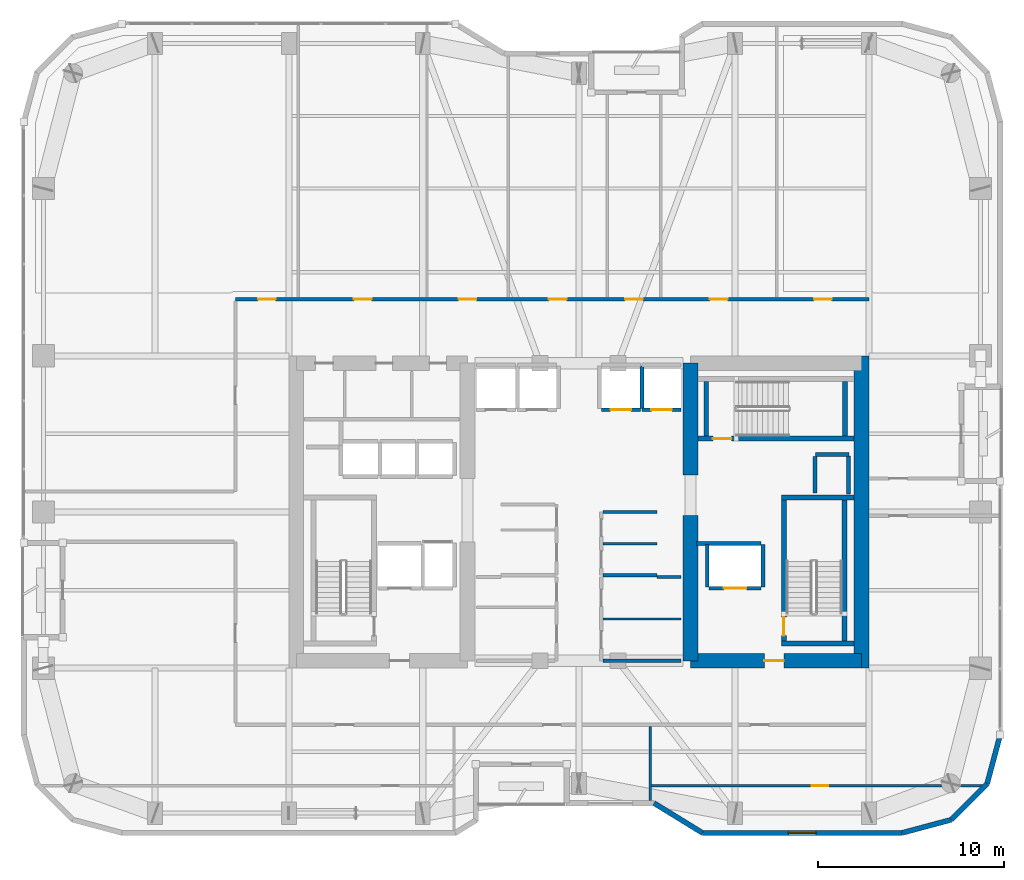
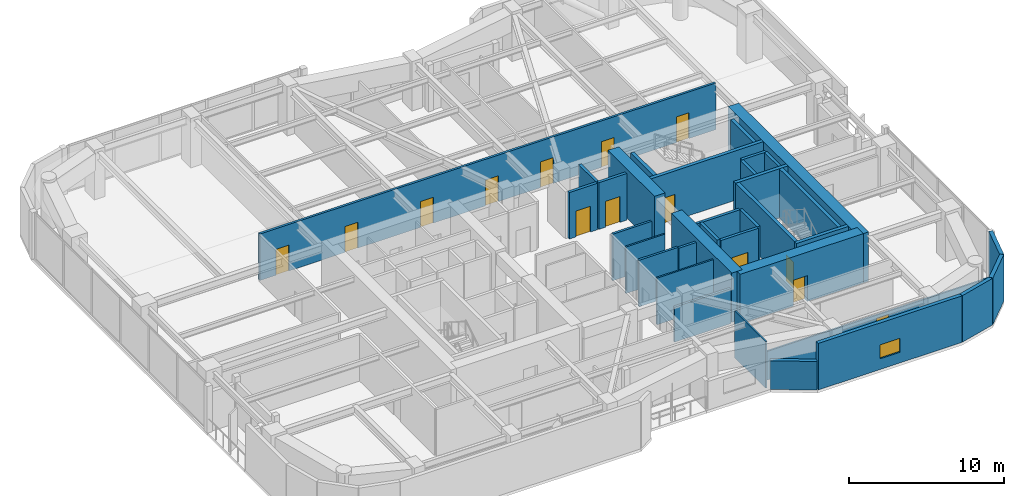
# One storey, part 26 of 30: 35 walls, 14 doors, 1 window, 15 openings.
"""IFC4 building model written with IfcOpenShell, lengths in metres."""

from ifc_helpers import new_model, si_unit, direction, frame, frame_2d, origin, place, context, subcontext, project, spatial, rectangle, extrude, material, layer, layer_set, type_object, element, fill, save


model = new_model("IFC4")

# Units and contexts
model_context = context("Model", 3, precision=1e-05, world=origin(), true_north=direction((0.0, 1.0)))
body_context = subcontext(model_context, "Body", "Model", "MODEL_VIEW")
ifc_project = project(units=[si_unit("LENGTHUNIT", "METRE"), si_unit("AREAUNIT", "SQUARE_METRE"), si_unit("VOLUMEUNIT", "CUBIC_METRE"), si_unit("PLANEANGLEUNIT", "RADIAN"), si_unit("MASSUNIT", "GRAM", prefix="KILO")], contexts=[model_context])

# Site, building, storey
site_placement = place(None, origin())
site = spatial("IfcSite", under=ifc_project, at=site_placement, CompositionType="ELEMENT")
building_placement = place(site_placement, origin())
building = spatial("IfcBuilding", under=site, at=building_placement, Name="Kiyonajd Concourse Tower", CompositionType="ELEMENT")
storey_placement = place(building_placement, frame((0.0, 0.0, 174.0)))
storey = spatial("IfcBuildingStorey", under=building, at=storey_placement, Name="L44", CompositionType="ELEMENT", Elevation=174.0)

# Walls
ifc_material_1 = material(Name="Concrete C70/85", Category="concrete")
ifc_layer_1 = layer(ifc_material_1, 0.800048828125)
ifc_layer_set_1 = layer_set([ifc_layer_1], Name="Concrete C70/85")
wall_type_1 = type_object("IfcWallType", Name="WL-CORE-800", PredefinedType="SHEAR", material=ifc_layer_set_1)
wall_1_placement = place(storey_placement, frame((54.0, 28.0, 0.0), z_axis=(0.0, 0.0, 1.0), x_axis=(0.0, 1.0, 0.0)))
element("IfcWall", 1, at=wall_1_placement, inside=storey, type_object=wall_type_1, Name="L44 East Core Inner South Shear Wall", PredefinedType="SHEAR", context=body_context, shape_type="SweptSolid", body=[
    extrude(rectangle(XDim=7.800048828125, YDim=0.800048828125, at=frame_2d((3.89990234375, 0.0))), origin(), (0.0, 0.0, 1.0), 3.89990234375),
])
wall_2_placement = place(storey_placement, frame((54.0, 38.0, 0.0), z_axis=(0.0, 0.0, 1.0), x_axis=(0.0, 1.0, 0.0)))
element("IfcWall", 2, at=wall_2_placement, inside=storey, type_object=wall_type_1, Name="L44 East Core Inner North Shear Wall", PredefinedType="SHEAR", context=body_context, shape_type="SweptSolid", body=[
    extrude(rectangle(XDim=6.0, YDim=0.800048828125, at=frame_2d((3.0, 0.0))), origin(), (0.0, 0.0, 1.0), 3.89990234375),
])
wall_3_placement = place(storey_placement, frame((63.199951171875, 27.60009765625, 0.0), z_axis=(0.0, 0.0, 1.0), x_axis=(0.0, 1.0, 0.0)))
element("IfcWall", 3, at=wall_3_placement, inside=storey, type_object=wall_type_1, Name="L44 East Core Outer Shear Wall", PredefinedType="SHEAR", context=body_context, shape_type="SweptSolid", body=[
    extrude(rectangle(XDim=16.7998046875, YDim=0.800048828125, at=frame_2d((8.39990234375, 0.0))), origin(), (0.0, 0.0, 1.0), 3.89990234375),
])

# Wall, opening, door
wall_4_placement = place(storey_placement, frame((54.0, 28.0, 0.0), z_axis=(0.0, 0.0, 1.0), x_axis=(1.0, 0.0, 0.0)))
wall_4 = element("IfcWall", 4, at=wall_4_placement, inside=storey, type_object=wall_type_1, Name="L44 East Core South Shear Wall", PredefinedType="SHEAR", context=body_context, shape_type="SweptSolid", body=[
    extrude(rectangle(XDim=9.199951171875, YDim=0.800048828125, at=frame_2d((4.60009765625, 0.0))), origin(), (0.0, 0.0, 1.0), 3.89990234375),
])
opening_1_placement = place(wall_4_placement, frame((3.97509765625, 0.0, 0.0)))
opening_1 = element("IfcOpeningElement", 5, at=opening_1_placement, cuts=wall_4, Name="Opening DF5", PredefinedType="OPENING", context=body_context, shape_type="SweptSolid", body=[
    extrude(rectangle(XDim=1.050048828125, YDim=2.0400390625, at=frame_2d((0.52490234375, 1.02001953125))), frame((0.0, 0.409912109375, 0.0), z_axis=(0.0, -1.0, 0.0), x_axis=(1.0, 0.0, 0.0)), (0.0, 0.0, 1.0), 0.820068359375),
])
ifc_material_2 = material(Name="Brushed Stainless Steel Cab Assembly", Category="steel")
door_type_1 = type_object("IfcDoorType", Name="DR-FD45-1050", OperationType="NOTDEFINED", PredefinedType="DOOR", material=ifc_material_2)
door_1_placement = place(opening_1_placement, origin())
door_1 = element("IfcDoor", 6, at=door_1_placement, inside=storey, type_object=door_type_1, Name="L44 Firefighting Lift Lobby E Smoke Door", OperationType="SINGLE_SWING_RIGHT", OverallHeight=2.0400390625, OverallWidth=1.050048828125, PredefinedType="DOOR", context=body_context, shape_type="SweptSolid", body=[
    extrude(rectangle(XDim=1.050048828125, YDim=2.0400390625, at=frame_2d((0.52490234375, 1.02001953125))), frame((0.0, 0.02490234375, 0.0), z_axis=(0.0, -1.0, 0.0), x_axis=(1.0, 0.0, 0.0)), (0.0, 0.0, 1.0), 0.050048828125),
])
fill(opening_1, door_1)

# Walls
ifc_material_3 = material(Name="Precast concrete C50/60", Category="concrete")
ifc_layer_2 = layer(ifc_material_3, 0.280029296875)
ifc_layer_set_2 = layer_set([ifc_layer_2], Name="Precast concrete C50/60")
wall_type_2 = type_object("IfcWallType", Name="WL-EXT-280", PredefinedType="SOLIDWALL", material=ifc_layer_set_2)
wall_5_placement = place(storey_placement, frame((70.659912109375, 24.018310546875, 0.0), z_axis=(0.0, 0.0, 1.0), x_axis=(-0.258672222976, -0.9659651552, 0.0)))
element("IfcWall", 7, at=wall_5_placement, inside=storey, type_object=wall_type_2, Name="L44 Exterior Concrete Frame Wall 25", PredefinedType="SOLIDWALL", context=body_context, shape_type="SweptSolid", body=[
    extrude(rectangle(XDim=2.739013671875, YDim=0.280029296875, at=frame_2d((1.36962890625, 0.0))), origin(), (0.0, 0.0, 1.0), 3.679931640625),
])
wall_6_placement = place(storey_placement, frame((69.951416015625, 21.37255859375, 0.0), z_axis=(0.0, 0.0, 1.0), x_axis=(-0.707061915429, -0.707151644098, 0.0)))
element("IfcWall", 8, at=wall_6_placement, inside=storey, type_object=wall_type_2, Name="L44 Exterior Concrete Frame Wall 26", PredefinedType="SOLIDWALL", context=body_context, shape_type="SweptSolid", body=[
    extrude(rectangle(XDim=2.720947265625, YDim=0.280029296875, at=frame_2d((1.3603515625, 0.0))), origin(), (0.0, 0.0, 1.0), 3.679931640625),
])
wall_7_placement = place(storey_placement, frame((68.027587890625, 19.448486328125, 0.0), z_axis=(0.0, 0.0, 1.0), x_axis=(-0.965971118627, -0.258649952598, 0.0)))
element("IfcWall", 9, at=wall_7_placement, inside=storey, type_object=wall_type_2, Name="L44 Exterior Concrete Frame Wall 27", PredefinedType="SOLIDWALL", context=body_context, shape_type="SweptSolid", body=[
    extrude(rectangle(XDim=2.7392578125, YDim=0.280029296875, at=frame_2d((1.36962890625, 0.0))), origin(), (0.0, 0.0, 1.0), 3.679931640625),
])

# Wall, opening, window
wall_8_placement = place(storey_placement, frame((65.381591796875, 18.739990234375, 0.0), z_axis=(0.0, 0.0, 1.0), x_axis=(-1.0, 0.0, 0.0)))
wall_8 = element("IfcWall", 10, at=wall_8_placement, inside=storey, type_object=wall_type_2, Name="L44 Exterior Concrete Frame Wall 28", PredefinedType="SOLIDWALL", context=body_context, shape_type="SweptSolid", body=[
    extrude(rectangle(XDim=10.741943359375, YDim=0.280029296875, at=frame_2d((5.37109375, 0.0))), origin(), (0.0, 0.0, 1.0), 3.679931640625),
])
opening_2_placement = place(wall_8_placement, frame((4.62109375, 0.0, 0.85009765625)))
opening_2 = element("IfcOpeningElement", 11, at=opening_2_placement, cuts=wall_8, Name="Opening WN2", PredefinedType="OPENING", context=body_context, shape_type="SweptSolid", body=[
    extrude(rectangle(XDim=1.5, YDim=1.10009765625, at=frame_2d((0.75, 0.550048828125))), frame((0.0, 0.14990234375, 0.0), z_axis=(0.0, -1.0, 0.0), x_axis=(1.0, 0.0, 0.0)), (0.0, 0.0, 1.0), 0.300048828125),
])
ifc_material_4 = material(Name="Double Low-E Insulated Glass", Category="glass")
window_type = type_object("IfcWindowType", Name="WN-VIS-1500x1100", PartitioningType="SINGLE_PANEL", PredefinedType="WINDOW", material=ifc_material_4)
window_placement = place(opening_2_placement, origin())
window = element("IfcWindow", 12, at=window_placement, inside=storey, type_object=window_type, Name="L44 Modular Facade Vision Window 28", OverallHeight=1.10009765625, OverallWidth=1.5, PartitioningType="SINGLE_PANEL", PredefinedType="WINDOW", context=body_context, shape_type="SweptSolid", body=[
    extrude(rectangle(XDim=1.5, YDim=1.10009765625, at=frame_2d((0.75, 0.550048828125))), frame((0.0, 0.030029296875, 0.0), z_axis=(0.0, -1.0, 0.0), x_axis=(1.0, 0.0, 0.0)), (0.0, 0.0, 1.0), 0.06005859375),
])
fill(opening_2, window)

# Walls
wall_9_placement = place(storey_placement, frame((54.6396484375, 18.739990234375, 0.0), z_axis=(0.0, 0.0, 1.0), x_axis=(-0.851652825334, 0.524106349037, 0.0)))
element("IfcWall", 13, at=wall_9_placement, inside=storey, type_object=wall_type_2, Name="L44 Exterior Concrete Frame Wall 29", PredefinedType="SOLIDWALL", context=body_context, shape_type="SweptSolid", body=[
    extrude(rectangle(XDim=3.052978515625, YDim=0.280029296875, at=frame_2d((1.5263671875, 0.0))), origin(), (0.0, 0.0, 1.0), 2.264892578125),
])
ifc_material_5 = material(Name="Gypsum Board on Cold-Formed Steel Stud", Category="steel")
ifc_layer_3 = layer(ifc_material_5, 0.125)
ifc_layer_set_3 = layer_set([ifc_layer_3], Name="Gypsum Board on Cold-Formed Steel Stud")
wall_type_3 = type_object("IfcWallType", Name="WL-PART-125", PredefinedType="PARTITIONING", material=ifc_layer_set_3)
wall_10_placement = place(storey_placement, frame((49.287109375, 34.300048828125, 0.0), z_axis=(0.0, 0.0, 1.0), x_axis=(1.0, 0.0, 0.0)))
element("IfcWall", 14, at=wall_10_placement, inside=storey, type_object=wall_type_3, Name="L44 Interior Partition Wall", PredefinedType="PARTITIONING", context=body_context, shape_type="SweptSolid", body=[
    extrude(rectangle(XDim=2.912841796875, YDim=0.125, at=frame_2d((1.45654296875, 0.0))), origin(), (0.0, 0.0, 1.0), 3.679931640625),
])
wall_11_placement = place(storey_placement, frame((49.287109375, 30.25, 0.0), z_axis=(0.0, 0.0, 1.0), x_axis=(1.0, 0.0, 0.0)))
element("IfcWall", 15, at=wall_11_placement, inside=storey, type_object=wall_type_3, Name="L44 Interior Partition Wall", PredefinedType="PARTITIONING", context=body_context, shape_type="SweptSolid", body=[
    extrude(rectangle(XDim=4.212890625, YDim=0.125, at=frame_2d((2.1064453125, 0.0))), origin(), (0.0, 0.0, 1.0), 3.679931640625),
])

# Wall, opening, door
wall_12_placement = place(storey_placement, frame((51.840087890625, 21.280029296875, 0.0), z_axis=(0.0, 0.0, 1.0), x_axis=(1.0, 0.0, 0.0)))
wall_12 = element("IfcWall", 16, at=wall_12_placement, inside=storey, type_object=wall_type_3, Name="L44 Interior Partition Wall", PredefinedType="PARTITIONING", context=body_context, shape_type="SweptSolid", body=[
    extrude(rectangle(XDim=17.8818359375, YDim=0.125, at=frame_2d((8.94091796875, 0.0))), origin(), (0.0, 0.0, 1.0), 2.264892578125),
])
opening_3_placement = place(wall_12_placement, frame((8.66796875, 0.0, 0.0)))
opening_3 = element("IfcOpeningElement", 17, at=opening_3_placement, cuts=wall_12, Name="Opening DI2", PredefinedType="OPENING", context=body_context, shape_type="SweptSolid", body=[
    extrude(rectangle(XDim=0.89990234375, YDim=2.02001953125, at=frame_2d((0.449951171875, 1.010009765625))), frame((0.0, 0.072509765625, 0.0), z_axis=(0.0, -1.0, 0.0), x_axis=(1.0, 0.0, 0.0)), (0.0, 0.0, 1.0), 0.14501953125),
])
ifc_material_6 = material(Name="Natural Oak Acoustic Timber Veneer", Category="wood")
door_type_2 = type_object("IfcDoorType", Name="DR-INT-900", OperationType="NOTDEFINED", PredefinedType="DOOR", material=ifc_material_6)
door_2_placement = place(opening_3_placement, origin())
door_2 = element("IfcDoor", 18, at=door_2_placement, inside=storey, type_object=door_type_2, Name="L44 Interior Door", OperationType="SINGLE_SWING_LEFT", OverallHeight=2.02001953125, OverallWidth=0.89990234375, PredefinedType="DOOR", context=body_context, shape_type="SweptSolid", body=[
    extrude(rectangle(XDim=0.89990234375, YDim=2.02001953125, at=frame_2d((0.449951171875, 1.010009765625))), frame((0.0, 0.02490234375, 0.0), z_axis=(0.0, -1.0, 0.0), x_axis=(1.0, 0.0, 0.0)), (0.0, 0.0, 1.0), 0.050048828125),
])
fill(opening_3, door_2)

# Walls
wall_13_placement = place(storey_placement, frame((51.840087890625, 20.47509765625, 0.0), z_axis=(0.0, 0.0, 1.0), x_axis=(0.0, 1.0, 0.0)))
element("IfcWall", 19, at=wall_13_placement, inside=storey, type_object=wall_type_3, Name="L44 Interior Partition Wall", PredefinedType="PARTITIONING", context=body_context, shape_type="SweptSolid", body=[
    extrude(rectangle(XDim=3.997802734375, YDim=0.125, at=frame_2d((1.9990234375, 0.0))), origin(), (0.0, 0.0, 1.0), 3.679931640625),
])
ifc_layer_4 = layer(ifc_material_5, 0.2099609375)
ifc_layer_set_4 = layer_set([ifc_layer_4], Name="Gypsum Board on Cold-Formed Steel Stud")
wall_type_4 = type_object("IfcWallType", Name="WL-SHAFT-210", PredefinedType="PARTITIONING", material=ifc_layer_set_4)
wall_14_placement = place(storey_placement, frame((60.719970703125, 39.10009765625, 0.0), z_axis=(0.0, 0.0, 1.0), x_axis=(1.0, 0.0, 0.0)))
element("IfcWall", 20, at=wall_14_placement, inside=storey, type_object=wall_type_4, Name="L44 Shaft Enclosure Wall", PredefinedType="PARTITIONING", context=body_context, shape_type="SweptSolid", body=[
    extrude(rectangle(XDim=1.800048828125, YDim=0.2099609375, at=frame_2d((0.89990234375, 0.0))), origin(), (0.0, 0.0, 1.0), 3.679931640625),
])
wall_15_placement = place(storey_placement, frame((60.699951171875, 37.02001953125, 0.0), z_axis=(0.0, 0.0, 1.0), x_axis=(0.0, 1.0, 0.0)))
element("IfcWall", 21, at=wall_15_placement, inside=storey, type_object=wall_type_4, Name="L44 Shaft Enclosure Wall", PredefinedType="PARTITIONING", context=body_context, shape_type="SweptSolid", body=[
    extrude(rectangle(XDim=1.9599609375, YDim=0.2099609375, at=frame_2d((0.97998046875, 0.0))), origin(), (0.0, 0.0, 1.0), 3.679931640625),
])
wall_16_placement = place(storey_placement, frame((62.5, 36.97998046875, 0.0), z_axis=(0.0, 0.0, 1.0), x_axis=(0.0, 1.0, 0.0)))
element("IfcWall", 22, at=wall_16_placement, inside=storey, type_object=wall_type_4, Name="L44 Shaft Enclosure Wall", PredefinedType="PARTITIONING", context=body_context, shape_type="SweptSolid", body=[
    extrude(rectangle(XDim=2.0400390625, YDim=0.2099609375, at=frame_2d((1.02001953125, 0.0))), origin(), (0.0, 0.0, 1.0), 3.679931640625),
])

# Wall, opening, door
wall_17_placement = place(storey_placement, frame((55.0, 31.89990234375, 0.0), z_axis=(0.0, 0.0, 1.0), x_axis=(1.0, 0.0, 0.0)))
wall_17 = element("IfcWall", 23, at=wall_17_placement, inside=storey, type_object=wall_type_4, Name="L44 Shaft Enclosure Wall", PredefinedType="PARTITIONING", context=body_context, shape_type="SweptSolid", body=[
    extrude(rectangle(XDim=2.800048828125, YDim=0.2099609375, at=frame_2d((1.39990234375, 0.0))), origin(), (0.0, 0.0, 1.0), 3.679931640625),
])
opening_4_placement = place(wall_17_placement, frame((0.800048828125, 0.0, 0.0)))
opening_4 = element("IfcOpeningElement", 24, at=opening_4_placement, cuts=wall_17, Name="Opening LD2", PredefinedType="OPENING", context=body_context, shape_type="SweptSolid", body=[
    extrude(rectangle(XDim=1.199951171875, YDim=2.0400390625, at=frame_2d((0.60009765625, 1.02001953125))), frame((0.0, 0.114990234375, 0.0), z_axis=(0.0, -1.0, 0.0), x_axis=(1.0, 0.0, 0.0)), (0.0, 0.0, 1.0), 0.22998046875),
])
door_type_3 = type_object("IfcDoorType", Name="DR-LD-1200", OperationType="DOUBLE_DOOR_SLIDING", PredefinedType="DOOR", material=ifc_material_2)
door_3_placement = place(opening_4_placement, origin())
door_3 = element("IfcDoor", 25, at=door_3_placement, inside=storey, type_object=door_type_3, Name="L44 Lift FFL2 Sliding Landing Door", OperationType="DOUBLE_DOOR_SLIDING", OverallHeight=2.0400390625, OverallWidth=1.199951171875, PredefinedType="DOOR", context=body_context, shape_type="SweptSolid", body=[
    extrude(rectangle(XDim=1.199951171875, YDim=2.0400390625, at=frame_2d((0.60009765625, 1.02001953125))), frame((0.0, 0.02490234375, 0.0), z_axis=(0.0, -1.0, 0.0), x_axis=(1.0, 0.0, 0.0)), (0.0, 0.0, 1.0), 0.050048828125),
])
fill(opening_4, door_3)

# Walls
wall_18_placement = place(storey_placement, frame((54.320068359375, 34.300048828125, 0.0), z_axis=(0.0, 0.0, 1.0), x_axis=(1.0, 0.0, 0.0)))
element("IfcWall", 26, at=wall_18_placement, inside=storey, type_object=wall_type_4, Name="L44 Shaft Enclosure Wall", PredefinedType="PARTITIONING", context=body_context, shape_type="SweptSolid", body=[
    extrude(rectangle(XDim=3.47998046875, YDim=0.2099609375, at=frame_2d((1.739990234375, 0.0))), origin(), (0.0, 0.0, 1.0), 3.679931640625),
])
for number, where, z_axis, x_axis, name in (
    (27, (54.89990234375, 31.9599609375, 0.0), (0.0, 0.0, 1.0), (0.0, 1.0, 0.0), "L44 Shaft Enclosure Wall"),
    (28, (57.89990234375, 31.9599609375, 0.0), (0.0, 0.0, 1.0), (0.0, 1.0, 0.0), "L44 Shaft Enclosure Wall"),
):
    element("IfcWall", number, at=place(storey_placement, frame(where, z_axis=z_axis, x_axis=x_axis)), inside=storey, type_object=wall_type_4, Name=name, PredefinedType="PARTITIONING", context=body_context, shape_type="SweptSolid", body=[
        extrude(rectangle(XDim=2.280029296875, YDim=0.2099609375, at=frame_2d((1.14013671875, 0.0))), origin(), (0.0, 0.0, 1.0), 3.679931640625),
    ])

# Wall, opening, door
wall_19_placement = place(storey_placement, frame((49.199951171875, 41.5, 0.0), z_axis=(0.0, 0.0, 1.0), x_axis=(1.0, 0.0, 0.0)))
wall_19 = element("IfcWall", 29, at=wall_19_placement, inside=storey, type_object=wall_type_4, Name="L44 Shaft Enclosure Wall", PredefinedType="PARTITIONING", context=body_context, shape_type="SweptSolid", body=[
    extrude(rectangle(XDim=2.10009765625, YDim=0.2099609375, at=frame_2d((1.050048828125, 0.0))), origin(), (0.0, 0.0, 1.0), 3.679931640625),
])
opening_5_placement = place(wall_19_placement, frame((0.5, 0.0, 0.0)))
opening_5 = element("IfcOpeningElement", 30, at=opening_5_placement, cuts=wall_19, Name="Opening LD1", PredefinedType="OPENING", context=body_context, shape_type="SweptSolid", body=[
    extrude(rectangle(XDim=1.10009765625, YDim=2.0400390625, at=frame_2d((0.550048828125, 1.02001953125))), frame((0.0, 0.114990234375, 0.0), z_axis=(0.0, -1.0, 0.0), x_axis=(1.0, 0.0, 0.0)), (0.0, 0.0, 1.0), 0.22998046875),
])
door_type_4 = type_object("IfcDoorType", Name="DR-LD-1100", OperationType="DOUBLE_DOOR_SLIDING", PredefinedType="DOOR", material=ifc_material_2)
door_4_placement = place(opening_5_placement, origin())
door_4 = element("IfcDoor", 31, at=door_4_placement, inside=storey, type_object=door_type_4, Name="L44 Lift PL-M3 Sliding Landing Door", OperationType="DOUBLE_DOOR_SLIDING", OverallHeight=2.0400390625, OverallWidth=1.10009765625, PredefinedType="DOOR", context=body_context, shape_type="SweptSolid", body=[
    extrude(rectangle(XDim=1.10009765625, YDim=2.0400390625, at=frame_2d((0.550048828125, 1.02001953125))), frame((0.0, 0.02490234375, 0.0), z_axis=(0.0, -1.0, 0.0), x_axis=(1.0, 0.0, 0.0)), (0.0, 0.0, 1.0), 0.050048828125),
])
fill(opening_5, door_4)

# Wall
wall_20_placement = place(storey_placement, frame((51.39990234375, 41.56005859375, 0.0), z_axis=(0.0, 0.0, 1.0), x_axis=(0.0, 1.0, 0.0)))
element("IfcWall", 32, at=wall_20_placement, inside=storey, type_object=wall_type_4, Name="L44 Shaft Enclosure Wall", PredefinedType="PARTITIONING", context=body_context, shape_type="SweptSolid", body=[
    extrude(rectangle(XDim=2.280029296875, YDim=0.2099609375, at=frame_2d((1.14013671875, 0.0))), origin(), (0.0, 0.0, 1.0), 3.679931640625),
])

# Wall, opening, door
wall_21_placement = place(storey_placement, frame((51.39990234375, 41.5, 0.0), z_axis=(0.0, 0.0, 1.0), x_axis=(1.0, 0.0, 0.0)))
wall_21 = element("IfcWall", 33, at=wall_21_placement, inside=storey, type_object=wall_type_4, Name="L44 Shaft Enclosure Wall", PredefinedType="PARTITIONING", context=body_context, shape_type="SweptSolid", body=[
    extrude(rectangle(XDim=2.10009765625, YDim=0.2099609375, at=frame_2d((1.050048828125, 0.0))), origin(), (0.0, 0.0, 1.0), 3.679931640625),
])
opening_6_placement = place(wall_21_placement, frame((0.5, 0.0, 0.0)))
opening_6 = element("IfcOpeningElement", 34, at=opening_6_placement, cuts=wall_21, Name="Opening LD1", PredefinedType="OPENING", context=body_context, shape_type="SweptSolid", body=[
    extrude(rectangle(XDim=1.10009765625, YDim=2.0400390625, at=frame_2d((0.550048828125, 1.02001953125))), frame((0.0, 0.114990234375, 0.0), z_axis=(0.0, -1.0, 0.0), x_axis=(1.0, 0.0, 0.0)), (0.0, 0.0, 1.0), 0.22998046875),
])
door_5_placement = place(opening_6_placement, origin())
door_5 = element("IfcDoor", 35, at=door_5_placement, inside=storey, type_object=door_type_4, Name="L44 Lift PL-M4 Sliding Landing Door", OperationType="DOUBLE_DOOR_SLIDING", OverallHeight=2.0400390625, OverallWidth=1.10009765625, PredefinedType="DOOR", context=body_context, shape_type="SweptSolid", body=[
    extrude(rectangle(XDim=1.10009765625, YDim=2.0400390625, at=frame_2d((0.550048828125, 1.02001953125))), frame((0.0, 0.02490234375, 0.0), z_axis=(0.0, -1.0, 0.0), x_axis=(1.0, 0.0, 0.0)), (0.0, 0.0, 1.0), 0.050048828125),
])
fill(opening_6, door_5)

# Walls
ifc_layer_5 = layer(ifc_material_5, 0.169921875)
ifc_layer_set_5 = layer_set([ifc_layer_5], Name="Gypsum Board on Cold-Formed Steel Stud")
wall_type_5 = type_object("IfcWallType", Name="WL-SMK-170", PredefinedType="PARTITIONING", material=ifc_layer_set_5)
for number, where, z_axis, x_axis, name in (
    (36, (49.287109375, 32.60009765625, 0.0), (0.0, 0.0, 1.0), (1.0, 0.0, 0.0), "L44 Interior Partition Wall"),
    (37, (49.287109375, 36.0, 0.0), (0.0, 0.0, 1.0), (1.0, 0.0, 0.0), "L44 Interior Partition Wall"),
):
    element("IfcWall", number, at=place(storey_placement, frame(where, z_axis=z_axis, x_axis=x_axis)), inside=storey, type_object=wall_type_5, Name=name, PredefinedType="PARTITIONING", context=body_context, shape_type="SweptSolid", body=[
        extrude(rectangle(XDim=2.912841796875, YDim=0.169921875, at=frame_2d((1.45654296875, 0.0))), origin(), (0.0, 0.0, 1.0), 3.679931640625),
    ])
wall_22_placement = place(storey_placement, frame((49.287109375, 28.0, 0.0), z_axis=(0.0, 0.0, 1.0), x_axis=(1.0, 0.0, 0.0)))
element("IfcWall", 38, at=wall_22_placement, inside=storey, type_object=wall_type_5, Name="L44 Interior Partition Wall", PredefinedType="PARTITIONING", context=body_context, shape_type="SweptSolid", body=[
    extrude(rectangle(XDim=4.212890625, YDim=0.169921875, at=frame_2d((2.1064453125, 0.0))), origin(), (0.0, 0.0, 1.0), 2.764892578125),
])
wall_23_placement = place(storey_placement, frame((52.199951171875, 32.5, 0.0), z_axis=(0.0, 0.0, 1.0), x_axis=(1.0, 0.0, 0.0)))
element("IfcWall", 39, at=wall_23_placement, inside=storey, type_object=wall_type_5, Name="L44 Interior Partition Wall", PredefinedType="PARTITIONING", context=body_context, shape_type="SweptSolid", body=[
    extrude(rectangle(XDim=1.300048828125, YDim=0.169921875, at=frame_2d((0.64990234375, 0.0))), origin(), (0.0, 0.0, 1.0), 3.679931640625),
])

# Wall, openings, doors
wall_24_placement = place(storey_placement, frame((29.52490234375, 47.43994140625, 0.0), z_axis=(0.0, 0.0, 1.0), x_axis=(1.0, 0.0, 0.0)))
wall_24 = element("IfcWall", 40, at=wall_24_placement, inside=storey, type_object=wall_type_5, Name="L44 Interior Partition Wall", PredefinedType="PARTITIONING", context=body_context, shape_type="SweptSolid", body=[
    extrude(rectangle(XDim=34.0751953125, YDim=0.169921875, at=frame_2d((17.03759765625, 0.0))), origin(), (0.0, 0.0, 1.0), 3.679931640625),
])
opening_7_placement = place(wall_24_placement, frame((1.217041015625, 0.0, 0.0)))
opening_7 = element("IfcOpeningElement", 41, at=opening_7_placement, cuts=wall_24, Name="Opening DI1", PredefinedType="OPENING", context=body_context, shape_type="SweptSolid", body=[
    extrude(rectangle(XDim=0.949951171875, YDim=2.0400390625, at=frame_2d((0.47509765625, 1.02001953125))), frame((0.0, 0.094970703125, 0.0), z_axis=(0.0, -1.0, 0.0), x_axis=(1.0, 0.0, 0.0)), (0.0, 0.0, 1.0), 0.18994140625),
])
opening_8_placement = place(wall_24_placement, frame((6.3701171875, 0.0, 0.0)))
opening_8 = element("IfcOpeningElement", 42, at=opening_8_placement, cuts=wall_24, Name="Opening DI1", PredefinedType="OPENING", context=body_context, shape_type="SweptSolid", body=[
    extrude(rectangle(XDim=0.949951171875, YDim=2.0400390625, at=frame_2d((0.47509765625, 1.02001953125))), frame((0.0, 0.094970703125, 0.0), z_axis=(0.0, -1.0, 0.0), x_axis=(1.0, 0.0, 0.0)), (0.0, 0.0, 1.0), 0.18994140625),
])
opening_9_placement = place(wall_24_placement, frame((12.010009765625, 0.0, 0.0)))
opening_9 = element("IfcOpeningElement", 43, at=opening_9_placement, cuts=wall_24, Name="Opening DI1", PredefinedType="OPENING", context=body_context, shape_type="SweptSolid", body=[
    extrude(rectangle(XDim=0.949951171875, YDim=2.0400390625, at=frame_2d((0.47509765625, 1.02001953125))), frame((0.0, 0.094970703125, 0.0), z_axis=(0.0, -1.0, 0.0), x_axis=(1.0, 0.0, 0.0)), (0.0, 0.0, 1.0), 0.18994140625),
])
opening_10_placement = place(wall_24_placement, frame((16.860107421875, 0.0, 0.0)))
opening_10 = element("IfcOpeningElement", 44, at=opening_10_placement, cuts=wall_24, Name="Opening DI1", PredefinedType="OPENING", context=body_context, shape_type="SweptSolid", body=[
    extrude(rectangle(XDim=0.949951171875, YDim=2.0400390625, at=frame_2d((0.47509765625, 1.02001953125))), frame((0.0, 0.094970703125, 0.0), z_axis=(0.0, -1.0, 0.0), x_axis=(1.0, 0.0, 0.0)), (0.0, 0.0, 1.0), 0.18994140625),
])
opening_11_placement = place(wall_24_placement, frame((20.965087890625, 0.0, 0.0)))
opening_11 = element("IfcOpeningElement", 45, at=opening_11_placement, cuts=wall_24, Name="Opening DI1", PredefinedType="OPENING", context=body_context, shape_type="SweptSolid", body=[
    extrude(rectangle(XDim=0.949951171875, YDim=2.0400390625, at=frame_2d((0.47509765625, 1.02001953125))), frame((0.0, 0.094970703125, 0.0), z_axis=(0.0, -1.0, 0.0), x_axis=(1.0, 0.0, 0.0)), (0.0, 0.0, 1.0), 0.18994140625),
])
opening_12_placement = place(wall_24_placement, frame((25.52001953125, 0.0, 0.0)))
opening_12 = element("IfcOpeningElement", 46, at=opening_12_placement, cuts=wall_24, Name="Opening DI1", PredefinedType="OPENING", context=body_context, shape_type="SweptSolid", body=[
    extrude(rectangle(XDim=0.949951171875, YDim=2.0400390625, at=frame_2d((0.47509765625, 1.02001953125))), frame((0.0, 0.094970703125, 0.0), z_axis=(0.0, -1.0, 0.0), x_axis=(1.0, 0.0, 0.0)), (0.0, 0.0, 1.0), 0.18994140625),
])
opening_13_placement = place(wall_24_placement, frame((31.1201171875, 0.0, 0.0)))
opening_13 = element("IfcOpeningElement", 47, at=opening_13_placement, cuts=wall_24, Name="Opening DI1", PredefinedType="OPENING", context=body_context, shape_type="SweptSolid", body=[
    extrude(rectangle(XDim=0.949951171875, YDim=2.0400390625, at=frame_2d((0.47509765625, 1.02001953125))), frame((0.0, 0.094970703125, 0.0), z_axis=(0.0, -1.0, 0.0), x_axis=(1.0, 0.0, 0.0)), (0.0, 0.0, 1.0), 0.18994140625),
])
door_type_5 = type_object("IfcDoorType", Name="DR-INT-950", OperationType="NOTDEFINED", PredefinedType="DOOR", material=ifc_material_6)
door_6_placement = place(opening_7_placement, origin())
door_6 = element("IfcDoor", 48, at=door_6_placement, inside=storey, type_object=door_type_5, Name="L44 Interior Door", OperationType="SINGLE_SWING_LEFT", OverallHeight=2.0400390625, OverallWidth=0.949951171875, PredefinedType="DOOR", context=body_context, shape_type="SweptSolid", body=[
    extrude(rectangle(XDim=0.949951171875, YDim=2.0400390625, at=frame_2d((0.47509765625, 1.02001953125))), frame((0.0, 0.02490234375, 0.0), z_axis=(0.0, -1.0, 0.0), x_axis=(1.0, 0.0, 0.0)), (0.0, 0.0, 1.0), 0.050048828125),
])
fill(opening_7, door_6)
door_7_placement = place(opening_8_placement, origin())
door_7 = element("IfcDoor", 49, at=door_7_placement, inside=storey, type_object=door_type_5, Name="L44 Interior Door", OperationType="SINGLE_SWING_RIGHT", OverallHeight=2.0400390625, OverallWidth=0.949951171875, PredefinedType="DOOR", context=body_context, shape_type="SweptSolid", body=[
    extrude(rectangle(XDim=0.949951171875, YDim=2.0400390625, at=frame_2d((0.47509765625, 1.02001953125))), frame((0.0, 0.02490234375, 0.0), z_axis=(0.0, -1.0, 0.0), x_axis=(1.0, 0.0, 0.0)), (0.0, 0.0, 1.0), 0.050048828125),
])
fill(opening_8, door_7)
door_8_placement = place(opening_9_placement, origin())
door_8 = element("IfcDoor", 50, at=door_8_placement, inside=storey, type_object=door_type_5, Name="L44 Interior Door", OperationType="SINGLE_SWING_LEFT", OverallHeight=2.0400390625, OverallWidth=0.949951171875, PredefinedType="DOOR", context=body_context, shape_type="SweptSolid", body=[
    extrude(rectangle(XDim=0.949951171875, YDim=2.0400390625, at=frame_2d((0.47509765625, 1.02001953125))), frame((0.0, 0.02490234375, 0.0), z_axis=(0.0, -1.0, 0.0), x_axis=(1.0, 0.0, 0.0)), (0.0, 0.0, 1.0), 0.050048828125),
])
fill(opening_9, door_8)
door_9_placement = place(opening_10_placement, origin())
door_9 = element("IfcDoor", 51, at=door_9_placement, inside=storey, type_object=door_type_5, Name="L44 Interior Door", OperationType="SINGLE_SWING_RIGHT", OverallHeight=2.0400390625, OverallWidth=0.949951171875, PredefinedType="DOOR", context=body_context, shape_type="SweptSolid", body=[
    extrude(rectangle(XDim=0.949951171875, YDim=2.0400390625, at=frame_2d((0.47509765625, 1.02001953125))), frame((0.0, 0.02490234375, 0.0), z_axis=(0.0, -1.0, 0.0), x_axis=(1.0, 0.0, 0.0)), (0.0, 0.0, 1.0), 0.050048828125),
])
fill(opening_10, door_9)
door_10_placement = place(opening_11_placement, origin())
door_10 = element("IfcDoor", 52, at=door_10_placement, inside=storey, type_object=door_type_5, Name="L44 Interior Door", OperationType="SINGLE_SWING_LEFT", OverallHeight=2.0400390625, OverallWidth=0.949951171875, PredefinedType="DOOR", context=body_context, shape_type="SweptSolid", body=[
    extrude(rectangle(XDim=0.949951171875, YDim=2.0400390625, at=frame_2d((0.47509765625, 1.02001953125))), frame((0.0, 0.02490234375, 0.0), z_axis=(0.0, -1.0, 0.0), x_axis=(1.0, 0.0, 0.0)), (0.0, 0.0, 1.0), 0.050048828125),
])
fill(opening_11, door_10)
door_11_placement = place(opening_12_placement, origin())
door_11 = element("IfcDoor", 53, at=door_11_placement, inside=storey, type_object=door_type_5, Name="L44 Interior Door", OperationType="SINGLE_SWING_RIGHT", OverallHeight=2.0400390625, OverallWidth=0.949951171875, PredefinedType="DOOR", context=body_context, shape_type="SweptSolid", body=[
    extrude(rectangle(XDim=0.949951171875, YDim=2.0400390625, at=frame_2d((0.47509765625, 1.02001953125))), frame((0.0, 0.02490234375, 0.0), z_axis=(0.0, -1.0, 0.0), x_axis=(1.0, 0.0, 0.0)), (0.0, 0.0, 1.0), 0.050048828125),
])
fill(opening_12, door_11)
door_12_placement = place(opening_13_placement, origin())
door_12 = element("IfcDoor", 54, at=door_12_placement, inside=storey, type_object=door_type_5, Name="L44 Interior Door", OperationType="SINGLE_SWING_LEFT", OverallHeight=2.0400390625, OverallWidth=0.949951171875, PredefinedType="DOOR", context=body_context, shape_type="SweptSolid", body=[
    extrude(rectangle(XDim=0.949951171875, YDim=2.0400390625, at=frame_2d((0.47509765625, 1.02001953125))), frame((0.0, 0.02490234375, 0.0), z_axis=(0.0, -1.0, 0.0), x_axis=(1.0, 0.0, 0.0)), (0.0, 0.0, 1.0), 0.050048828125),
])
fill(opening_13, door_12)

# Walls
ifc_material_7 = material(Name="Concrete C50/60", Category="concrete")
ifc_layer_6 = layer(ifc_material_7, 0.260009765625)
ifc_layer_set_6 = layer_set([ifc_layer_6], Name="Concrete C50/60")
wall_type_6 = type_object("IfcWallType", Name="WL-STAIR-260", PredefinedType="SHEAR", material=ifc_layer_set_6)
for number, where, z_axis, x_axis, name in (
    (55, (58.889892578125, 28.919921875, 0.0), (0.0, 0.0, 1.0), (1.0, 0.0, 0.0), "L44 Stair ST2 Structural South Wall"),
    (56, (58.889892578125, 36.780029296875, 0.0), (0.0, 0.0, 1.0), (1.0, 0.0, 0.0), "L44 Stair ST2 Structural North Wall"),
):
    element("IfcWall", number, at=place(storey_placement, frame(where, z_axis=z_axis, x_axis=x_axis)), inside=storey, type_object=wall_type_6, Name=name, PredefinedType="SHEAR", context=body_context, shape_type="SweptSolid", body=[
        extrude(rectangle(XDim=3.91015625, YDim=0.260009765625, at=frame_2d((1.955078125, 0.0))), origin(), (0.0, 0.0, 1.0), 3.89990234375),
    ])

# Wall, opening, door
wall_25_placement = place(storey_placement, frame((59.02001953125, 29.050048828125, 0.0), z_axis=(0.0, 0.0, 1.0), x_axis=(0.0, 1.0, 0.0)))
wall_25 = element("IfcWall", 57, at=wall_25_placement, inside=storey, type_object=wall_type_6, Name="L44 Stair ST2 Structural West Wall", PredefinedType="SHEAR", context=body_context, shape_type="SweptSolid", body=[
    extrude(rectangle(XDim=7.599853515625, YDim=0.260009765625, at=frame_2d((3.7998046875, 0.0))), origin(), (0.0, 0.0, 1.0), 3.89990234375),
])
opening_14_placement = place(wall_25_placement, frame((0.300048828125, 0.0, 0.0)))
opening_14 = element("IfcOpeningElement", 58, at=opening_14_placement, cuts=wall_25, Name="Opening DF1", PredefinedType="OPENING", context=body_context, shape_type="SweptSolid", body=[
    extrude(rectangle(XDim=1.0, YDim=2.0400390625, at=frame_2d((0.5, 1.02001953125))), frame((0.0, 0.139892578125, 0.0), z_axis=(0.0, -1.0, 0.0), x_axis=(1.0, 0.0, 0.0)), (0.0, 0.0, 1.0), 0.280029296875),
])
door_type_6 = type_object("IfcDoorType", Name="DR-FD90-1000", OperationType="NOTDEFINED", PredefinedType="DOOR", material=ifc_material_2)
door_13_placement = place(opening_14_placement, origin())
door_13 = element("IfcDoor", 59, at=door_13_placement, inside=storey, type_object=door_type_6, Name="L44 Stair ST2 FSAE Door", OperationType="SINGLE_SWING_RIGHT", OverallHeight=2.0400390625, OverallWidth=1.0, PredefinedType="DOOR", context=body_context, shape_type="SweptSolid", body=[
    extrude(rectangle(XDim=1.0, YDim=2.0400390625, at=frame_2d((0.5, 1.02001953125))), frame((0.0, 0.02490234375, 0.0), z_axis=(0.0, -1.0, 0.0), x_axis=(1.0, 0.0, 0.0)), (0.0, 0.0, 1.0), 0.050048828125),
])
fill(opening_14, door_13)

# Wall
wall_26_placement = place(storey_placement, frame((62.280029296875, 29.050048828125, 0.0), z_axis=(0.0, 0.0, 1.0), x_axis=(0.0, 1.0, 0.0)))
element("IfcWall", 60, at=wall_26_placement, inside=storey, type_object=wall_type_6, Name="L44 Stair ST2 Structural East Wall", PredefinedType="SHEAR", context=body_context, shape_type="SweptSolid", body=[
    extrude(rectangle(XDim=7.599853515625, YDim=0.260009765625, at=frame_2d((3.7998046875, 0.0))), origin(), (0.0, 0.0, 1.0), 3.89990234375),
])

# Wall, opening, door
wall_27_placement = place(storey_placement, frame((54.39990234375, 39.949951171875, 0.0), z_axis=(0.0, 0.0, 1.0), x_axis=(1.0, 0.0, 0.0)))
wall_27 = element("IfcWall", 61, at=wall_27_placement, inside=storey, type_object=wall_type_6, Name="L44 Stair ST3 Structural South Wall", PredefinedType="SHEAR", context=body_context, shape_type="SweptSolid", body=[
    extrude(rectangle(XDim=8.400146484375, YDim=0.260009765625, at=frame_2d((4.2001953125, 0.0))), origin(), (0.0, 0.0, 1.0), 3.89990234375),
])
opening_15_placement = place(wall_27_placement, frame((0.800048828125, 0.0, 0.0)))
opening_15 = element("IfcOpeningElement", 62, at=opening_15_placement, cuts=wall_27, Name="Opening DF1", PredefinedType="OPENING", context=body_context, shape_type="SweptSolid", body=[
    extrude(rectangle(XDim=1.0, YDim=2.0400390625, at=frame_2d((0.5, 1.02001953125))), frame((0.0, 0.139892578125, 0.0), z_axis=(0.0, -1.0, 0.0), x_axis=(1.0, 0.0, 0.0)), (0.0, 0.0, 1.0), 0.280029296875),
])
door_14_placement = place(opening_15_placement, origin())
door_14 = element("IfcDoor", 63, at=door_14_placement, inside=storey, type_object=door_type_6, Name="L44 Stair ST3 Enclosure Door", OperationType="SINGLE_SWING_LEFT", OverallHeight=2.0400390625, OverallWidth=1.0, PredefinedType="DOOR", context=body_context, shape_type="SweptSolid", body=[
    extrude(rectangle(XDim=1.0, YDim=2.0400390625, at=frame_2d((0.5, 1.02001953125))), frame((0.0, 0.02490234375, 0.0), z_axis=(0.0, -1.0, 0.0), x_axis=(1.0, 0.0, 0.0)), (0.0, 0.0, 1.0), 0.050048828125),
])
fill(opening_15, door_14)

# Walls
for number, where, z_axis, x_axis, name in (
    (64, (54.85009765625, 40.080078125, 0.0), (0.0, 0.0, 1.0), (0.0, 1.0, 0.0), "L44 Stair ST3 Structural West Wall"),
    (65, (62.31005859375, 40.080078125, 0.0), (0.0, 0.0, 1.0), (0.0, 1.0, 0.0), "L44 Stair ST3 Structural East Wall"),
):
    element("IfcWall", number, at=place(storey_placement, frame(where, z_axis=z_axis, x_axis=x_axis)), inside=storey, type_object=wall_type_6, Name=name, PredefinedType="SHEAR", context=body_context, shape_type="SweptSolid", body=[
        extrude(rectangle(XDim=2.93994140625, YDim=0.260009765625, at=frame_2d((1.469970703125, 0.0))), origin(), (0.0, 0.0, 1.0), 3.89990234375),
    ])

save(model, "model.ifc")
